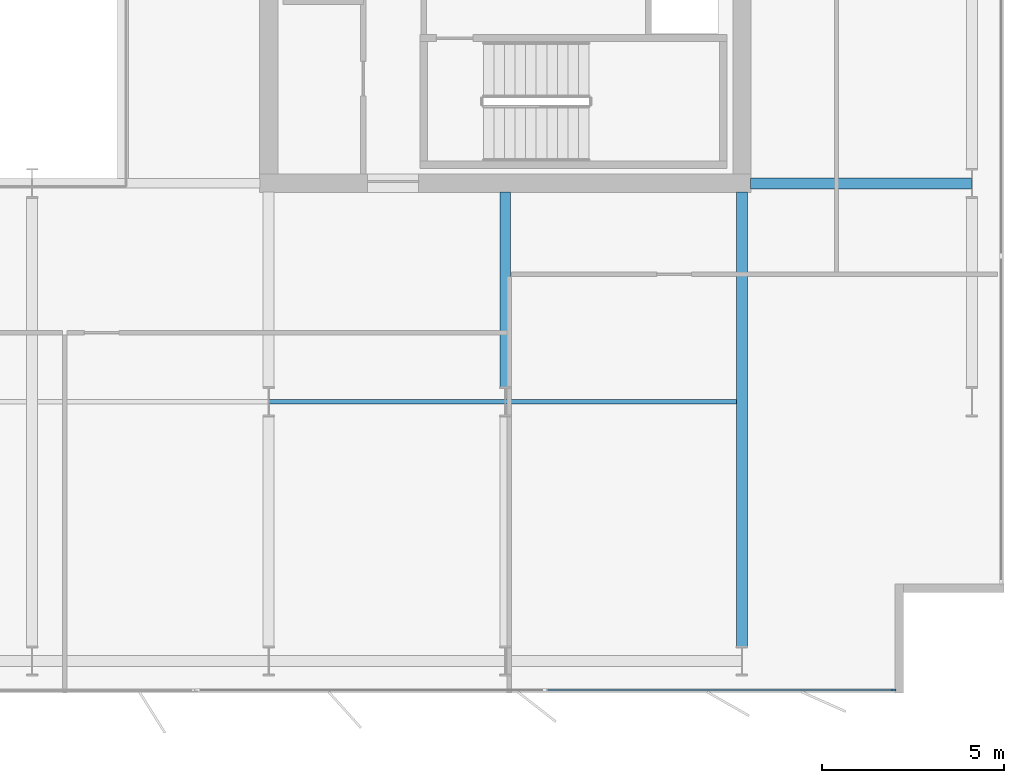
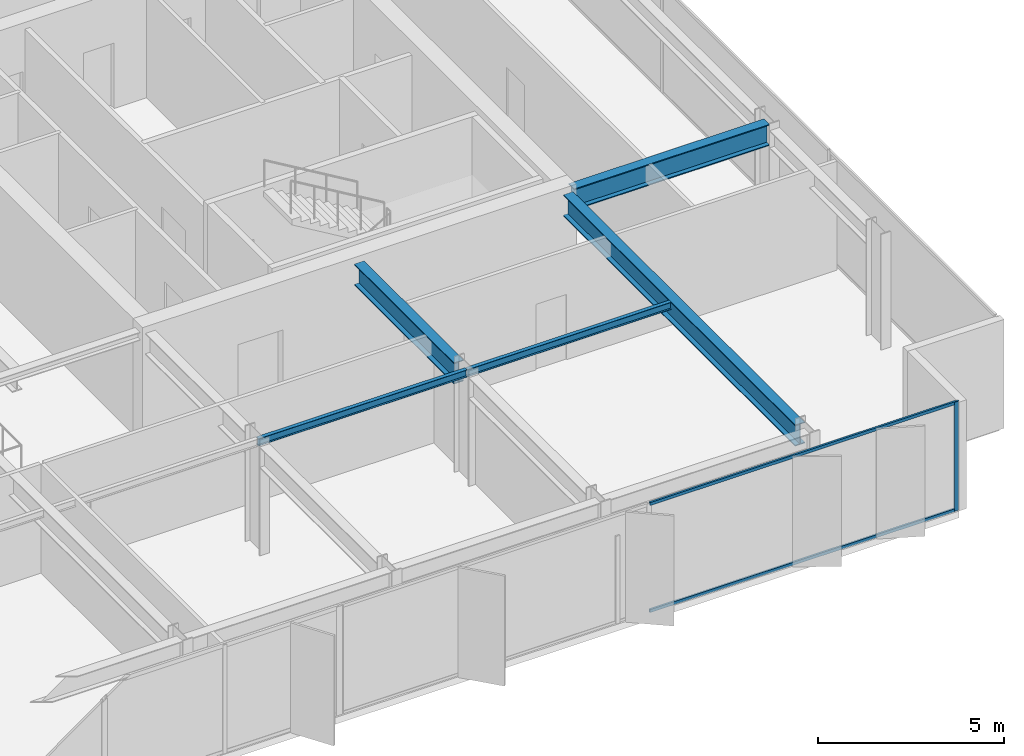
# One storey, part 8 of 23: 5 beams, 3 members, 1 element without a shape of its own.
"""IFC4 building model written with IfcOpenShell, lengths in metres."""

from ifc_helpers import new_model, si_unit, direction, frame, origin, origin_2d, place, context, subcontext, project, spatial, rectangle, i_section, extrude, material, layer, layer_set, material_profile, profile_set, type_object, element, aggregate, save


model = new_model("IFC4")

# Units and contexts
model_context = context("Model", 3, precision=1e-05, world=origin(), true_north=direction((0.0, 1.0)))
body_context = subcontext(model_context, "Body", "Model", "MODEL_VIEW")
ifc_project = project(units=[si_unit("LENGTHUNIT", "METRE"), si_unit("AREAUNIT", "SQUARE_METRE"), si_unit("VOLUMEUNIT", "CUBIC_METRE"), si_unit("PLANEANGLEUNIT", "RADIAN"), si_unit("MASSUNIT", "GRAM", prefix="KILO")], contexts=[model_context])

# Site, building, storey
site_placement = place(None, origin())
site = spatial("IfcSite", under=ifc_project, at=site_placement, CompositionType="ELEMENT")
building_placement = place(site_placement, origin())
building = spatial("IfcBuilding", under=site, at=building_placement, Name="Putna Gate Headquarters", CompositionType="ELEMENT")
storey_placement = place(building_placement, frame((0.0, 0.0, 225.199951171875)))
storey = spatial("IfcBuildingStorey", under=building, at=storey_placement, Name="L56", CompositionType="ELEMENT", Elevation=225.199951171875)

# Beams
ifc_material_1 = material(Name="Steel S355J2", Category="steel")
ifc_material_profile_1 = material_profile(ifc_material_1, i_section(OverallWidth=0.300048828125, OverallDepth=0.699951171875, WebThickness=0.01708984375, FlangeThickness=0.031982421875, at=origin_2d()), Name="Steel S355J2")
ifc_profile_set_1 = profile_set([ifc_material_profile_1], Name="Steel S355J2")
beam_type_1 = type_object("IfcBeamType", Name="BM-GIRD-B-HEB700", PredefinedType="USERDEFINED", material=ifc_profile_set_1)
beam_1_placement = place(storey_placement, frame((65.235107421875, 19.0, 3.22998046875), z_axis=(1.0, 0.0, 0.0), x_axis=(0.0, 1.0, 0.0)))
element("IfcBeam", 1, at=beam_1_placement, inside=storey, type_object=beam_type_1, Name="L56 East Wing Girder Y19", ObjectType="GIRDER", PredefinedType="USERDEFINED", context=body_context, shape_type="SweptSolid", body=[
    extrude(i_section(OverallWidth=0.300048828125, OverallDepth=0.699951171875, WebThickness=0.01708984375, FlangeThickness=0.031982421875, at=origin_2d()), origin(), (0.0, 0.0, 1.0), 6.078857421875),
])
beam_2_placement = place(storey_placement, frame((58.5, 13.39501953125, 3.22998046875), z_axis=(0.0, 1.0, 0.0), x_axis=(-1.0, 0.0, 0.0)))
element("IfcBeam", 2, at=beam_2_placement, inside=storey, type_object=beam_type_1, Name="L56 South Primary Girder X58-2", ObjectType="GIRDER", PredefinedType="USERDEFINED", context=body_context, shape_type="SweptSolid", body=[
    extrude(i_section(OverallWidth=0.300048828125, OverallDepth=0.699951171875, WebThickness=0.01708984375, FlangeThickness=0.031982421875, at=origin_2d()), origin(), (0.0, 0.0, 1.0), 5.369873046875),
])
beam_3_placement = place(storey_placement, frame((65.0, 6.27490234375, 3.22998046875), z_axis=(0.0, 1.0, 0.0), x_axis=(-1.0, 0.0, 0.0)))
element("IfcBeam", 3, at=beam_3_placement, inside=storey, type_object=beam_type_1, Name="L56 South Primary Girder X65", ObjectType="GIRDER", PredefinedType="USERDEFINED", context=body_context, shape_type="SweptSolid", body=[
    extrude(i_section(OverallWidth=0.300048828125, OverallDepth=0.699951171875, WebThickness=0.01708984375, FlangeThickness=0.031982421875, at=origin_2d()), origin(), (0.0, 0.0, 1.0), 12.489990234375),
])
ifc_material_profile_2 = material_profile(ifc_material_1, i_section(OverallWidth=0.1201171875, OverallDepth=0.239990234375, WebThickness=0.006103515625, FlangeThickness=0.009765625, at=origin_2d()), Name="Steel S355J2")
ifc_profile_set_2 = profile_set([ifc_material_profile_2], Name="Steel S355J2")
beam_type_2 = type_object("IfcBeamType", Name="BM-SEC-Z4-IPE240", PredefinedType="JOIST", material=ifc_profile_set_2)
beam_4_placement = place(storey_placement, frame((52.006103515625, 13.0, 3.4599609375), z_axis=(1.0, 0.0, 0.0), x_axis=(0.0, 1.0, 0.0)))
element("IfcBeam", 4, at=beam_4_placement, inside=storey, type_object=beam_type_2, Name="L56 South Secondary Beam 7", PredefinedType="JOIST", context=body_context, shape_type="SweptSolid", body=[
    extrude(i_section(OverallWidth=0.1201171875, OverallDepth=0.239990234375, WebThickness=0.006103515625, FlangeThickness=0.009765625, at=origin_2d()), origin(), (0.0, 0.0, 1.0), 6.48779296875),
])
beam_5_placement = place(storey_placement, frame((58.506103515625, 13.0, 3.4599609375), z_axis=(1.0, 0.0, 0.0), x_axis=(0.0, 1.0, 0.0)))
element("IfcBeam", 5, at=beam_5_placement, inside=storey, type_object=beam_type_2, Name="L56 South Secondary Beam 8", PredefinedType="JOIST", context=body_context, shape_type="SweptSolid", body=[
    extrude(i_section(OverallWidth=0.1201171875, OverallDepth=0.239990234375, WebThickness=0.006103515625, FlangeThickness=0.009765625, at=origin_2d()), origin(), (0.0, 0.0, 1.0), 6.33984375),
])

# Curtain wall, members
ifc_material_2 = material(Name="Anodised bronze aluminium curtain wall", Category="aluminium")
ifc_layer = layer(ifc_material_2, 0.139892578125)
ifc_layer_set = layer_set([ifc_layer], Name="Anodised bronze aluminium curtain wall")
curtain_wall_type = type_object("IfcCurtainWallType", Name="CW-SYS-Z4", PredefinedType="USERDEFINED", material=ifc_layer_set)
curtain_wall_placement = place(storey_placement, origin())
curtain_wall = element("IfcCurtainWall", 6, at=curtain_wall_placement, inside=storey, type_object=curtain_wall_type, Name="L56 South East Curtain Wall", ObjectType="STICK CURTAIN WALL", PredefinedType="USERDEFINED")
ifc_material_3 = material(Name="Anodised bronze aluminium EN AW-6060", Category="aluminium")
ifc_material_profile_3 = material_profile(ifc_material_3, rectangle(XDim=0.06005859375, YDim=0.139892578125, at=origin_2d()), Name="Anodised bronze aluminium EN AW-6060")
ifc_profile_set_3 = profile_set([ifc_material_profile_3], Name="Anodised bronze aluminium EN AW-6060")
member_type_1 = type_object("IfcMemberType", Name="MULL-CWM-4", PredefinedType="MULLION", material=ifc_profile_set_3)
member_1_placement = place(storey_placement, frame((69.169921875, 5.080078125, 0.0), z_axis=(0.0, 0.0, 1.0), x_axis=(0.0, 1.0, 0.0)))
member_1 = element("IfcMember", 7, at=member_1_placement, type_object=member_type_1, Name="CWS-4 mullion 3", PredefinedType="MULLION", context=body_context, shape_type="SweptSolid", body=[
    extrude(rectangle(XDim=0.06005859375, YDim=0.139892578125, at=origin_2d()), origin(), (0.0, 0.0, 1.0), 3.580078125),
])
ifc_material_profile_4 = material_profile(ifc_material_3, rectangle(XDim=0.06005859375, YDim=0.10009765625, at=origin_2d()), Name="Anodised bronze aluminium EN AW-6060")
ifc_profile_set_4 = profile_set([ifc_material_profile_4], Name="Anodised bronze aluminium EN AW-6060")
member_type_2 = type_object("IfcMemberType", Name="TRAN-CWT-4", PredefinedType="USERDEFINED", material=ifc_profile_set_4)
member_2_placement = place(storey_placement, frame((59.6298828125, 5.080078125, 0.030029296875), z_axis=(1.0, 0.0, 0.0), x_axis=(0.0, 1.0, 0.0)))
member_2 = element("IfcMember", 8, at=member_2_placement, type_object=member_type_2, Name="CWS-4 transom 2.1", ObjectType="TRANSOM", PredefinedType="USERDEFINED", context=body_context, shape_type="SweptSolid", body=[
    extrude(rectangle(XDim=0.06005859375, YDim=0.10009765625, at=origin_2d()), origin(), (0.0, 0.0, 1.0), 9.510009765625),
])
member_3_placement = place(storey_placement, frame((59.6298828125, 5.080078125, 3.550048828125), z_axis=(1.0, 0.0, 0.0), x_axis=(0.0, 1.0, 0.0)))
member_3 = element("IfcMember", 9, at=member_3_placement, type_object=member_type_2, Name="CWS-4 transom 2.2", ObjectType="TRANSOM", PredefinedType="USERDEFINED", context=body_context, shape_type="SweptSolid", body=[
    extrude(rectangle(XDim=0.06005859375, YDim=0.10009765625, at=origin_2d()), origin(), (0.0, 0.0, 1.0), 9.510009765625),
])
aggregate(curtain_wall, [member_1, member_2, member_3])

save(model, "model.ifc")
